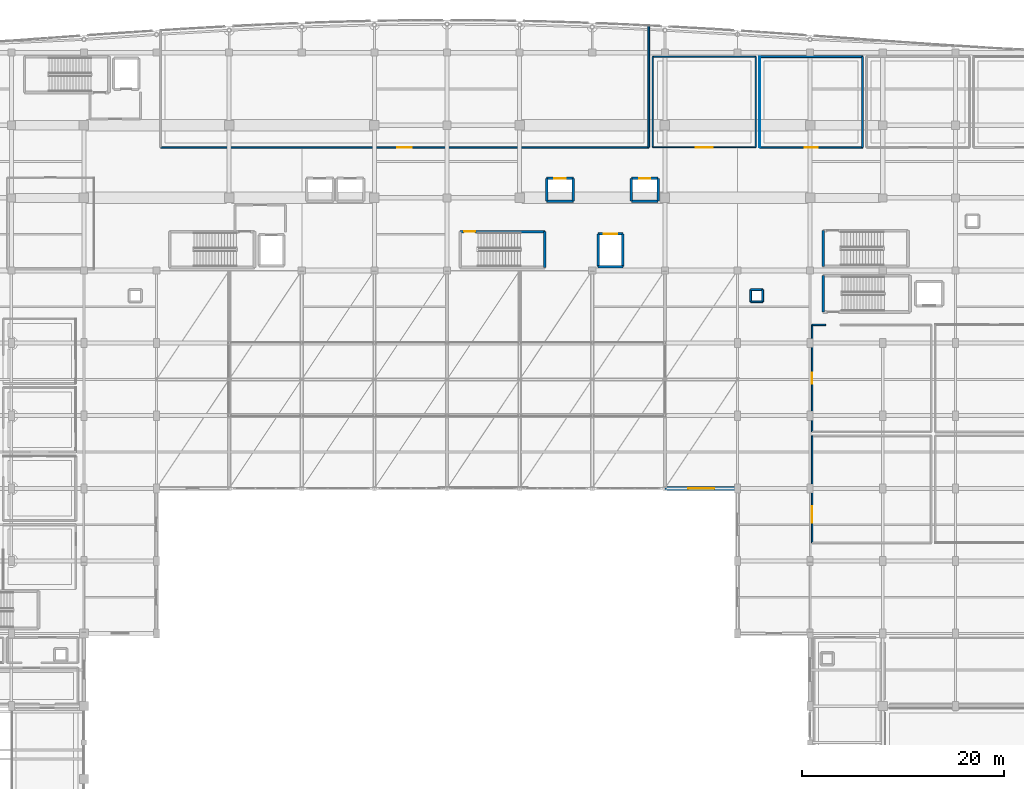
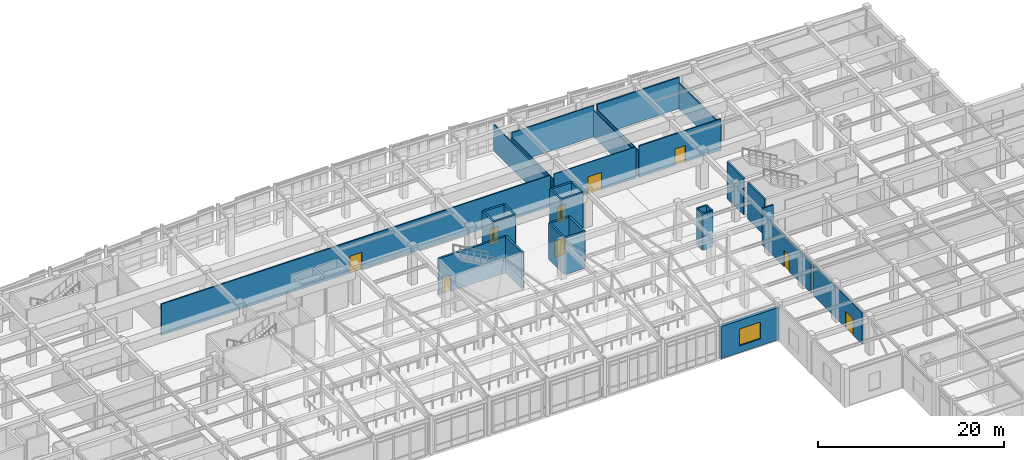
# One storey, part 92 of 117: 34 walls, 9 doors, 1 window, 10 openings.
"""IFC4 building model written with IfcOpenShell, lengths in metres."""

from ifc_helpers import new_model, si_unit, direction, frame, frame_2d, origin, place, context, subcontext, project, spatial, rectangle, extrude, material, layer, layer_set, type_object, element, fill, save


model = new_model("IFC4")

# Units and contexts
model_context = context("Model", 3, precision=1e-05, world=origin(), true_north=direction((0.0, 1.0)))
body_context = subcontext(model_context, "Body", "Model", "MODEL_VIEW")
ifc_project = project(units=[si_unit("LENGTHUNIT", "METRE"), si_unit("AREAUNIT", "SQUARE_METRE"), si_unit("VOLUMEUNIT", "CUBIC_METRE"), si_unit("PLANEANGLEUNIT", "RADIAN"), si_unit("MASSUNIT", "GRAM", prefix="KILO")], contexts=[model_context])

# Site, building, storey
site_placement = place(None, origin())
site = spatial("IfcSite", under=ifc_project, at=site_placement, CompositionType="ELEMENT")
building_placement = place(site_placement, origin())
building = spatial("IfcBuilding", under=site, at=building_placement, Name="Carrowvane Square Congress Hotel", CompositionType="ELEMENT")
storey_placement = place(building_placement, frame((0.0, 0.0, 5.39990234375)))
storey = spatial("IfcBuildingStorey", under=building, at=storey_placement, Name="L01", CompositionType="ELEMENT", Elevation=5.39990234375)

# Wall, opening, window
ifc_material_1 = material(Name="Portland limestone cladding", Category="masonry")
ifc_layer_1 = layer(ifc_material_1, 0.3798828125)
ifc_layer_set_1 = layer_set([ifc_layer_1], Name="Portland limestone cladding")
wall_type_1 = type_object("IfcWallType", Name="WL-EXT-LS380", PredefinedType="STANDARD", material=ifc_layer_set_1)
wall_1_placement = place(storey_placement, frame((126.800048828125, 70.199951171875, 0.0), z_axis=(0.0, 0.0, 1.0), x_axis=(-1.0, 0.0, 0.0)))
wall_1 = element("IfcWall", 1, at=wall_1_placement, inside=storey, type_object=wall_type_1, Name="L01 exterior facade wall 250", PredefinedType="STANDARD", context=body_context, shape_type="SweptSolid", body=[
    extrude(rectangle(XDim=7.199951171875, YDim=0.3798828125, at=frame_2d((3.60009765625, 0.0))), origin(), (0.0, 0.0, 1.0), 4.228515625),
])
opening_1_placement = place(wall_1_placement, frame((2.300048828125, 0.0, 0.89990234375)))
opening_1 = element("IfcOpeningElement", 2, at=opening_1_placement, cuts=wall_1, Name="Opening W-36", PredefinedType="OPENING", context=body_context, shape_type="SweptSolid", body=[
    extrude(rectangle(XDim=2.60009765625, YDim=2.199951171875, at=frame_2d((1.300048828125, 1.10009765625))), frame((0.0, 0.199951171875, 0.0), z_axis=(0.0, -1.0, 0.0), x_axis=(1.0, 0.0, 0.0)), (0.0, 0.0, 1.0), 0.39990234375),
])
ifc_material_2 = material(Name="Double-glazed low-E glass", Category="glass")
window_type = type_object("IfcWindowType", Name="WIN-36", PartitioningType="SINGLE_PANEL", PredefinedType="WINDOW", material=ifc_material_2)
window_placement = place(opening_1_placement, origin())
window = element("IfcWindow", 3, at=window_placement, inside=storey, type_object=window_type, Name="L01 facade window 73", OverallHeight=2.199951171875, OverallWidth=2.60009765625, PartitioningType="SINGLE_PANEL", PredefinedType="WINDOW", context=body_context, shape_type="SweptSolid", body=[
    extrude(rectangle(XDim=2.60009765625, YDim=2.199951171875, at=frame_2d((1.300048828125, 1.10009765625))), frame((0.0, 0.030029296875, 0.0), z_axis=(0.0, -1.0, 0.0), x_axis=(1.0, 0.0, 0.0)), (0.0, 0.0, 1.0), 0.06005859375),
])
fill(opening_1, window)

# Wall, opening, door
ifc_material_3 = material(Name="Acoustic gypsum board", Category="gypsum")
ifc_layer_2 = layer(ifc_material_3, 0.155029296875)
ifc_layer_set_2 = layer_set([ifc_layer_2], Name="Acoustic gypsum board")
wall_type_2 = type_object("IfcWallType", Name="WL-FIR-155", PredefinedType="PARTITIONING", material=ifc_layer_set_2)
wall_2_placement = place(storey_placement, frame((134.199951171875, 75.800048828125, 0.0), z_axis=(0.0, 0.0, 1.0), x_axis=(0.0, 1.0, 0.0)))
wall_2 = element("IfcWall", 4, at=wall_2_placement, inside=storey, type_object=wall_type_2, Name="L01 Executive Boardroom 105 partition", PredefinedType="PARTITIONING", context=body_context, shape_type="SweptSolid", body=[
    extrude(rectangle(XDim=10.599853515625, YDim=0.155029296875, at=frame_2d((5.2998046875, 0.0))), origin(), (0.0, 0.0, 1.0), 4.114990234375),
])
opening_2_placement = place(wall_2_placement, frame((4.760009765625, 0.0, 0.0)))
opening_2 = element("IfcOpeningElement", 5, at=opening_2_placement, cuts=wall_2, Name="Opening ID-08", PredefinedType="OPENING", context=body_context, shape_type="SweptSolid", body=[
    extrude(rectangle(XDim=1.080078125, YDim=2.14990234375, at=frame_2d((0.5400390625, 1.074951171875))), frame((0.0, 0.08740234375, 0.0), z_axis=(0.0, -1.0, 0.0), x_axis=(1.0, 0.0, 0.0)), (0.0, 0.0, 1.0), 0.175048828125),
])
ifc_material_4 = material(Name="European oak timber", Category="wood")
door_type_1 = type_object("IfcDoorType", Name="DR-INT-1080x2150", OperationType="NOTDEFINED", PredefinedType="DOOR", material=ifc_material_4)
door_1_placement = place(opening_2_placement, origin())
door_1 = element("IfcDoor", 6, at=door_1_placement, inside=storey, type_object=door_type_1, Name="L01 Executive Boardroom 105 entrance door", OperationType="SINGLE_SWING_LEFT", OverallHeight=2.14990234375, OverallWidth=1.080078125, PredefinedType="DOOR", context=body_context, shape_type="SweptSolid", body=[
    extrude(rectangle(XDim=1.080078125, YDim=2.14990234375, at=frame_2d((0.5400390625, 1.074951171875))), frame((0.0, 0.02490234375, 0.0), z_axis=(0.0, -1.0, 0.0), x_axis=(1.0, 0.0, 0.0)), (0.0, 0.0, 1.0), 0.050048828125),
])
fill(opening_2, door_1)

wall_3_placement = place(storey_placement, frame((118.0, 104.0, 0.0), z_axis=(0.0, 0.0, 1.0), x_axis=(-1.0, 0.0, 0.0)))
wall_3 = element("IfcWall", 7, at=wall_3_placement, inside=storey, type_object=wall_type_2, Name="L01 Delegate Congress Dining Hall partition", PredefinedType="PARTITIONING", context=body_context, shape_type="SweptSolid", body=[
    extrude(rectangle(XDim=48.39990234375, YDim=0.155029296875, at=frame_2d((24.199951171875, 0.0))), origin(), (0.0, 0.0, 1.0), 4.114990234375),
])
opening_3_placement = place(wall_3_placement, frame((23.47509765625, 0.0, 0.0)))
opening_3 = element("IfcOpeningElement", 8, at=opening_3_placement, cuts=wall_3, Name="Opening FD-11", PredefinedType="OPENING", context=body_context, shape_type="SweptSolid", body=[
    extrude(rectangle(XDim=1.449951171875, YDim=2.199951171875, at=frame_2d((0.72509765625, 1.10009765625))), frame((0.0, 0.08740234375, 0.0), z_axis=(0.0, -1.0, 0.0), x_axis=(1.0, 0.0, 0.0)), (0.0, 0.0, 1.0), 0.175048828125),
])
ifc_material_5 = material(Name="European oak timber", Category="wood")
door_type_2 = type_object("IfcDoorType", Name="DR-FD30-1450x2200", OperationType="DOUBLE_DOOR_SINGLE_SWING", PredefinedType="DOOR", material=ifc_material_5)
door_2_placement = place(opening_3_placement, origin())
door_2 = element("IfcDoor", 9, at=door_2_placement, inside=storey, type_object=door_type_2, Name="L01 Delegate Congress Dining Hall entrance door", OperationType="DOUBLE_DOOR_SINGLE_SWING", OverallHeight=2.199951171875, OverallWidth=1.449951171875, PredefinedType="DOOR", context=body_context, shape_type="SweptSolid", body=[
    extrude(rectangle(XDim=1.449951171875, YDim=2.199951171875, at=frame_2d((0.72509765625, 1.10009765625))), frame((0.0, 0.02490234375, 0.0), z_axis=(0.0, -1.0, 0.0), x_axis=(1.0, 0.0, 0.0)), (0.0, 0.0, 1.0), 0.050048828125),
])
fill(opening_3, door_2)

wall_4_placement = place(storey_placement, frame((139.199951171875, 104.0, 0.0), z_axis=(0.0, 0.0, 1.0), x_axis=(-1.0, 0.0, 0.0)))
wall_4 = element("IfcWall", 10, at=wall_4_placement, inside=storey, type_object=wall_type_2, Name="L01 Private Dining Salon 2 partition", PredefinedType="PARTITIONING", context=body_context, shape_type="SweptSolid", body=[
    extrude(rectangle(XDim=10.199951171875, YDim=0.155029296875, at=frame_2d((5.10009765625, 0.0))), origin(), (0.0, 0.0, 1.0), 4.114990234375),
])
opening_4_placement = place(wall_4_placement, frame((4.449951171875, 0.0, 0.0)))
opening_4 = element("IfcOpeningElement", 11, at=opening_4_placement, cuts=wall_4, Name="Opening FD-03", PredefinedType="OPENING", context=body_context, shape_type="SweptSolid", body=[
    extrude(rectangle(XDim=1.300048828125, YDim=2.14990234375, at=frame_2d((0.64990234375, 1.074951171875))), frame((0.0, 0.08740234375, 0.0), z_axis=(0.0, -1.0, 0.0), x_axis=(1.0, 0.0, 0.0)), (0.0, 0.0, 1.0), 0.175048828125),
])
ifc_material_6 = material(Name="European oak timber", Category="wood")
door_type_3 = type_object("IfcDoorType", Name="DR-FD60-1300x2150", OperationType="NOTDEFINED", PredefinedType="DOOR", material=ifc_material_6)
door_3_placement = place(opening_4_placement, origin())
door_3 = element("IfcDoor", 12, at=door_3_placement, inside=storey, type_object=door_type_3, Name="L01 Private Dining Salon 2 entrance door", OperationType="SINGLE_SWING_RIGHT", OverallHeight=2.14990234375, OverallWidth=1.300048828125, PredefinedType="DOOR", context=body_context, shape_type="SweptSolid", body=[
    extrude(rectangle(XDim=1.300048828125, YDim=2.14990234375, at=frame_2d((0.64990234375, 1.074951171875))), frame((0.0, 0.02490234375, 0.0), z_axis=(0.0, -1.0, 0.0), x_axis=(1.0, 0.0, 0.0)), (0.0, 0.0, 1.0), 0.050048828125),
])
fill(opening_4, door_3)

ifc_material_7 = material(Name="Acoustic gypsum board", Category="gypsum")
ifc_layer_3 = layer(ifc_material_7, 0.169921875)
ifc_layer_set_3 = layer_set([ifc_layer_3], Name="Acoustic gypsum board")
wall_type_3 = type_object("IfcWallType", Name="WL-FIR-170", PredefinedType="PARTITIONING", material=ifc_layer_set_3)
wall_5_placement = place(storey_placement, frame((134.199951171875, 64.800048828125, 0.0), z_axis=(0.0, 0.0, 1.0), x_axis=(0.0, 1.0, 0.0)))
wall_5 = element("IfcWall", 13, at=wall_5_placement, inside=storey, type_object=wall_type_3, Name="L01 Executive Boardroom 101 partition", PredefinedType="PARTITIONING", context=body_context, shape_type="SweptSolid", body=[
    extrude(rectangle(XDim=10.599853515625, YDim=0.169921875, at=frame_2d((5.2998046875, 0.0))), origin(), (0.0, 0.0, 1.0), 4.114990234375),
])
opening_5_placement = place(wall_5_placement, frame((2.0, 0.0, 0.0)))
opening_5 = element("IfcOpeningElement", 14, at=opening_5_placement, cuts=wall_5, Name="Opening FD-04", PredefinedType="OPENING", context=body_context, shape_type="SweptSolid", body=[
    extrude(rectangle(XDim=1.60009765625, YDim=2.14990234375, at=frame_2d((0.800048828125, 1.074951171875))), frame((0.0, 0.094970703125, 0.0), z_axis=(0.0, -1.0, 0.0), x_axis=(1.0, 0.0, 0.0)), (0.0, 0.0, 1.0), 0.18994140625),
])
ifc_material_8 = material(Name="European oak timber", Category="wood")
door_type_4 = type_object("IfcDoorType", Name="DR-FD60-1600x2150", OperationType="DOUBLE_DOOR_SINGLE_SWING", PredefinedType="DOOR", material=ifc_material_8)
door_4_placement = place(opening_5_placement, origin())
door_4 = element("IfcDoor", 15, at=door_4_placement, inside=storey, type_object=door_type_4, Name="L01 Executive Boardroom 101 entrance door", OperationType="DOUBLE_DOOR_SINGLE_SWING", OverallHeight=2.14990234375, OverallWidth=1.60009765625, PredefinedType="DOOR", context=body_context, shape_type="SweptSolid", body=[
    extrude(rectangle(XDim=1.60009765625, YDim=2.14990234375, at=frame_2d((0.800048828125, 1.074951171875))), frame((0.0, 0.02490234375, 0.0), z_axis=(0.0, -1.0, 0.0), x_axis=(1.0, 0.0, 0.0)), (0.0, 0.0, 1.0), 0.050048828125),
])
fill(opening_5, door_4)

# Walls
wall_6_placement = place(storey_placement, frame((118.0, 116.078125, 0.0), z_axis=(0.0, 0.0, 1.0), x_axis=(0.0, -1.0, 0.0)))
element("IfcWall", 16, at=wall_6_placement, inside=storey, type_object=wall_type_3, Name="L01 Delegate Congress Dining Hall partition", PredefinedType="PARTITIONING", context=body_context, shape_type="SweptSolid", body=[
    extrude(rectangle(XDim=12.078125, YDim=0.169921875, at=frame_2d((6.0390625, 0.0))), origin(), (0.0, 0.0, 1.0), 3.445068359375),
])
wall_7_placement = place(storey_placement, frame((139.199951171875, 113.0, 0.0), z_axis=(0.0, 0.0, 1.0), x_axis=(0.0, -1.0, 0.0)))
element("IfcWall", 17, at=wall_7_placement, inside=storey, type_object=wall_type_3, Name="L01 Private Dining Salon 2 partition", PredefinedType="PARTITIONING", context=body_context, shape_type="SweptSolid", body=[
    extrude(rectangle(XDim=9.0, YDim=0.169921875, at=frame_2d((4.5, 0.0))), origin(), (0.0, 0.0, 1.0), 3.364990234375),
])
ifc_material_9 = material(Name="Acoustic gypsum board", Category="gypsum")
ifc_layer_4 = layer(ifc_material_9, 0.18505859375)
ifc_layer_set_4 = layer_set([ifc_layer_4], Name="Acoustic gypsum board")
wall_type_4 = type_object("IfcWallType", Name="WL-FIR-185", PredefinedType="PARTITIONING", material=ifc_layer_set_4)
wall_8_placement = place(storey_placement, frame((129.0, 113.0, 0.0), z_axis=(0.0, 0.0, 1.0), x_axis=(1.0, 0.0, 0.0)))
element("IfcWall", 18, at=wall_8_placement, inside=storey, type_object=wall_type_4, Name="L01 Private Dining Salon 2 partition", PredefinedType="PARTITIONING", context=body_context, shape_type="SweptSolid", body=[
    extrude(rectangle(XDim=10.199951171875, YDim=0.18505859375, at=frame_2d((5.10009765625, 0.0))), origin(), (0.0, 0.0, 1.0), 4.114990234375),
])
ifc_material_10 = material(Name="Standing-seam zinc cladding", Category="metal")
ifc_layer_5 = layer(ifc_material_10, 0.195068359375)
ifc_layer_set_5 = layer_set([ifc_layer_5], Name="Standing-seam zinc cladding")
wall_type_5 = type_object("IfcWallType", Name="WL-PAR-195", PredefinedType="PARAPET", material=ifc_layer_set_5)
for number, where, z_axis, x_axis, name in (
    (19, (128.10009765625, 88.699951171875, 0.0), (0.0, 0.0, 1.0), (1.0, 0.0, 0.0), "L01 service riser RSR-V3 enclosure S"),
    (20, (129.300048828125, 88.699951171875, 0.0), (0.0, 0.0, 1.0), (0.0, 1.0, 0.0), "L01 service riser RSR-V3 enclosure E"),
    (21, (129.300048828125, 89.89990234375, 0.0), (0.0, 0.0, 1.0), (-1.0, 0.0, 0.0), "L01 service riser RSR-V3 enclosure N"),
    (22, (128.10009765625, 89.89990234375, 0.0), (0.0, 0.0, 1.0), (0.0, -1.0, 0.0), "L01 service riser RSR-V3 enclosure W"),
):
    element("IfcWall", number, at=place(storey_placement, frame(where, z_axis=z_axis, x_axis=x_axis)), inside=storey, type_object=wall_type_5, Name=name, PredefinedType="PARAPET", context=body_context, shape_type="SweptSolid", body=[
        extrude(rectangle(XDim=1.199951171875, YDim=0.195068359375, at=frame_2d((0.60009765625, 0.0))), origin(), (0.0, 0.0, 1.0), 4.780029296875),
    ])
ifc_material_11 = material(Name="Acoustic gypsum board", Category="gypsum")
ifc_layer_6 = layer(ifc_material_11, 0.097900390625)
ifc_layer_set_6 = layer_set([ifc_layer_6], Name="Acoustic gypsum board")
wall_type_6 = type_object("IfcWallType", Name="WL-PRT-098", PredefinedType="PARTITIONING", material=ifc_layer_set_6)
wall_9_placement = place(storey_placement, frame((129.0, 104.0, 0.0), z_axis=(0.0, 0.0, 1.0), x_axis=(0.0, 1.0, 0.0)))
element("IfcWall", 23, at=wall_9_placement, inside=storey, type_object=wall_type_6, Name="L01 Private Dining Salon 2 partition", PredefinedType="PARTITIONING", context=body_context, shape_type="SweptSolid", body=[
    extrude(rectangle(XDim=9.0, YDim=0.097900390625, at=frame_2d((4.5, 0.0))), origin(), (0.0, 0.0, 1.0), 3.445068359375),
])

# Wall, opening, door
ifc_material_12 = material(Name="Acoustic gypsum board", Category="gypsum")
ifc_layer_7 = layer(ifc_material_12, 0.10791015625)
ifc_layer_set_7 = layer_set([ifc_layer_7], Name="Acoustic gypsum board")
wall_type_7 = type_object("IfcWallType", Name="WL-PRT-108", PredefinedType="PARTITIONING", material=ifc_layer_set_7)
wall_10_placement = place(storey_placement, frame((128.60009765625, 104.0, 0.0), z_axis=(0.0, 0.0, 1.0), x_axis=(-1.0, 0.0, 0.0)))
wall_10 = element("IfcWall", 24, at=wall_10_placement, inside=storey, type_object=wall_type_7, Name="L01 Private Dining Salon 1 partition", PredefinedType="PARTITIONING", context=body_context, shape_type="SweptSolid", body=[
    extrude(rectangle(XDim=10.2001953125, YDim=0.10791015625, at=frame_2d((5.10009765625, 0.0))), origin(), (0.0, 0.0, 1.0), 4.114990234375),
])
opening_6_placement = place(wall_10_placement, frame((4.25, 0.0, 0.0)))
opening_6 = element("IfcOpeningElement", 25, at=opening_6_placement, cuts=wall_10, Name="Opening FD-12", PredefinedType="OPENING", context=body_context, shape_type="SweptSolid", body=[
    extrude(rectangle(XDim=1.699951171875, YDim=2.25, at=frame_2d((0.85009765625, 1.125))), frame((0.0, 0.06396484375, 0.0), z_axis=(0.0, -1.0, 0.0), x_axis=(1.0, 0.0, 0.0)), (0.0, 0.0, 1.0), 0.1279296875),
])
ifc_material_13 = material(Name="European oak timber", Category="wood")
door_type_5 = type_object("IfcDoorType", Name="DR-FD30-1700x2250", OperationType="DOUBLE_DOOR_SINGLE_SWING", PredefinedType="DOOR", material=ifc_material_13)
door_5_placement = place(opening_6_placement, origin())
door_5 = element("IfcDoor", 26, at=door_5_placement, inside=storey, type_object=door_type_5, Name="L01 Private Dining Salon 1 entrance door", OperationType="DOUBLE_DOOR_SINGLE_SWING", OverallHeight=2.25, OverallWidth=1.699951171875, PredefinedType="DOOR", context=body_context, shape_type="SweptSolid", body=[
    extrude(rectangle(XDim=1.699951171875, YDim=2.25, at=frame_2d((0.85009765625, 1.125))), frame((0.0, 0.02490234375, 0.0), z_axis=(0.0, -1.0, 0.0), x_axis=(1.0, 0.0, 0.0)), (0.0, 0.0, 1.0), 0.050048828125),
])
fill(opening_6, door_5)

# Walls
ifc_material_14 = material(Name="Acoustic gypsum board", Category="gypsum")
ifc_layer_8 = layer(ifc_material_14, 0.117919921875)
ifc_layer_set_8 = layer_set([ifc_layer_8], Name="Acoustic gypsum board")
wall_type_8 = type_object("IfcWallType", Name="WL-PRT-118", PredefinedType="PARTITIONING", material=ifc_layer_set_8)
wall_11_placement = place(storey_placement, frame((128.60009765625, 113.0, 0.0), z_axis=(0.0, 0.0, 1.0), x_axis=(0.0, -1.0, 0.0)))
element("IfcWall", 27, at=wall_11_placement, inside=storey, type_object=wall_type_8, Name="L01 Private Dining Salon 1 partition", PredefinedType="PARTITIONING", context=body_context, shape_type="SweptSolid", body=[
    extrude(rectangle(XDim=9.0, YDim=0.117919921875, at=frame_2d((4.5, 0.0))), origin(), (0.0, 0.0, 1.0), 3.445068359375),
])
ifc_material_15 = material(Name="Acoustic gypsum board", Category="gypsum")
ifc_layer_9 = layer(ifc_material_15, 0.1279296875)
ifc_layer_set_9 = layer_set([ifc_layer_9], Name="Acoustic gypsum board")
wall_type_9 = type_object("IfcWallType", Name="WL-PRT-128", PredefinedType="PARTITIONING", material=ifc_layer_set_9)
wall_12_placement = place(storey_placement, frame((118.39990234375, 113.0, 0.0), z_axis=(0.0, 0.0, 1.0), x_axis=(1.0, 0.0, 0.0)))
element("IfcWall", 28, at=wall_12_placement, inside=storey, type_object=wall_type_9, Name="L01 Private Dining Salon 1 partition", PredefinedType="PARTITIONING", context=body_context, shape_type="SweptSolid", body=[
    extrude(rectangle(XDim=10.2001953125, YDim=0.1279296875, at=frame_2d((5.10009765625, 0.0))), origin(), (0.0, 0.0, 1.0), 4.114990234375),
])
ifc_material_16 = material(Name="Acoustic gypsum board", Category="gypsum")
ifc_layer_10 = layer(ifc_material_16, 0.137939453125)
ifc_layer_set_10 = layer_set([ifc_layer_10], Name="Acoustic gypsum board")
wall_type_10 = type_object("IfcWallType", Name="WL-PRT-138", PredefinedType="PARTITIONING", material=ifc_layer_set_10)
wall_13_placement = place(storey_placement, frame((118.39990234375, 104.0, 0.0), z_axis=(0.0, 0.0, 1.0), x_axis=(0.0, 1.0, 0.0)))
element("IfcWall", 29, at=wall_13_placement, inside=storey, type_object=wall_type_10, Name="L01 Private Dining Salon 1 partition", PredefinedType="PARTITIONING", context=body_context, shape_type="SweptSolid", body=[
    extrude(rectangle(XDim=9.0, YDim=0.137939453125, at=frame_2d((4.5, 0.0))), origin(), (0.0, 0.0, 1.0), 3.445068359375),
])
ifc_material_17 = material(Name="Acoustic gypsum board", Category="gypsum")
ifc_layer_11 = layer(ifc_material_17, 0.14794921875)
ifc_layer_set_11 = layer_set([ifc_layer_11], Name="Acoustic gypsum board")
wall_type_11 = type_object("IfcWallType", Name="WL-PRT-148", PredefinedType="PARTITIONING", material=ifc_layer_set_11)
wall_14_placement = place(storey_placement, frame((134.199951171875, 86.39990234375, 0.0), z_axis=(0.0, 0.0, 1.0), x_axis=(1.0, 0.0, 0.0)))
element("IfcWall", 30, at=wall_14_placement, inside=storey, type_object=wall_type_11, Name="L01 Executive Boardroom 105 partition", PredefinedType="PARTITIONING", context=body_context, shape_type="SweptSolid", body=[
    extrude(rectangle(XDim=1.344970703125, YDim=0.14794921875, at=frame_2d((0.67236328125, 0.0))), origin(), (0.0, 0.0, 1.0), 4.780029296875),
])
ifc_material_18 = material(Name="Concrete C40/50", Category="concrete")
ifc_layer_12 = layer(ifc_material_18, 0.22509765625)
ifc_layer_set_12 = layer_set([ifc_layer_12], Name="Concrete C40/50")
wall_type_12 = type_object("IfcWallType", Name="WL-SHR-225", PredefinedType="SHEAR", material=ifc_layer_set_12)
wall_15_placement = place(storey_placement, frame((135.300048828125, 91.300048828125, 0.0), z_axis=(0.0, 0.0, 1.0), x_axis=(0.0, -1.0, 0.0)))
element("IfcWall", 31, at=wall_15_placement, inside=storey, type_object=wall_type_12, Name="L01 ST8 core wall west", PredefinedType="SHEAR", context=body_context, shape_type="SweptSolid", body=[
    extrude(rectangle(XDim=3.60009765625, YDim=0.22509765625, at=frame_2d((1.800048828125, 0.0))), origin(), (0.0, 0.0, 1.0), 4.780029296875),
])
wall_16_placement = place(storey_placement, frame((135.300048828125, 95.760009765625, 0.0), z_axis=(0.0, 0.0, 1.0), x_axis=(0.0, -1.0, 0.0)))
element("IfcWall", 32, at=wall_16_placement, inside=storey, type_object=wall_type_12, Name="L01 ST12 core wall west", PredefinedType="SHEAR", context=body_context, shape_type="SweptSolid", body=[
    extrude(rectangle(XDim=3.56005859375, YDim=0.22509765625, at=frame_2d((1.780029296875, 0.0))), origin(), (0.0, 0.0, 1.0), 4.780029296875),
])

# Wall, opening, door
ifc_material_19 = material(Name="Concrete C40/50", Category="concrete")
ifc_layer_13 = layer(ifc_material_19, 0.25)
ifc_layer_set_13 = layer_set([ifc_layer_13], Name="Concrete C40/50")
wall_type_13 = type_object("IfcWallType", Name="WL-SHR-250", PredefinedType="SHEAR", material=ifc_layer_set_13)
wall_17_placement = place(storey_placement, frame((107.699951171875, 95.659912109375, 0.0), z_axis=(0.0, 0.0, 1.0), x_axis=(-1.0, 0.0, 0.0)))
wall_17 = element("IfcWall", 33, at=wall_17_placement, inside=storey, type_object=wall_type_13, Name="L01 ST3 core wall north", PredefinedType="SHEAR", context=body_context, shape_type="SweptSolid", body=[
    extrude(rectangle(XDim=8.39990234375, YDim=0.25, at=frame_2d((4.199951171875, 0.0))), origin(), (0.0, 0.0, 1.0), 4.780029296875),
])
opening_7_placement = place(wall_17_placement, frame((6.909912109375, 0.0, 0.0)))
opening_7 = element("IfcOpeningElement", 34, at=opening_7_placement, cuts=wall_17, Name="Opening FD-01", PredefinedType="OPENING", context=body_context, shape_type="SweptSolid", body=[
    extrude(rectangle(XDim=1.10009765625, YDim=2.10009765625, at=frame_2d((0.550048828125, 1.050048828125))), frame((0.0, 0.135009765625, 0.0), z_axis=(0.0, -1.0, 0.0), x_axis=(1.0, 0.0, 0.0)), (0.0, 0.0, 1.0), 0.27001953125),
])
ifc_material_20 = material(Name="European oak timber", Category="wood")
door_type_6 = type_object("IfcDoorType", Name="DR-FD60-1100x2100", OperationType="NOTDEFINED", PredefinedType="DOOR", material=ifc_material_20)
door_6_placement = place(opening_7_placement, origin())
door_6 = element("IfcDoor", 35, at=door_6_placement, inside=storey, type_object=door_type_6, Name="L01 ST3 fire door", OperationType="SINGLE_SWING_LEFT", OverallHeight=2.10009765625, OverallWidth=1.10009765625, PredefinedType="DOOR", context=body_context, shape_type="SweptSolid", body=[
    extrude(rectangle(XDim=1.10009765625, YDim=2.10009765625, at=frame_2d((0.550048828125, 1.050048828125))), frame((0.0, 0.02490234375, 0.0), z_axis=(0.0, -1.0, 0.0), x_axis=(1.0, 0.0, 0.0)), (0.0, 0.0, 1.0), 0.050048828125),
])
fill(opening_7, door_6)

# Walls
wall_18_placement = place(storey_placement, frame((107.875, 98.675048828125, 0.0), z_axis=(0.0, 0.0, 1.0), x_axis=(1.0, 0.0, 0.0)))
element("IfcWall", 36, at=wall_18_placement, inside=storey, type_object=wall_type_13, Name="L01 HL-3 shaft wall south", PredefinedType="SHEAR", context=body_context, shape_type="SweptSolid", body=[
    extrude(rectangle(XDim=2.64990234375, YDim=0.25, at=frame_2d((1.324951171875, 0.0))), origin(), (0.0, 0.0, 1.0), 4.780029296875),
])
wall_19_placement = place(storey_placement, frame((110.52490234375, 98.675048828125, 0.0), z_axis=(0.0, 0.0, 1.0), x_axis=(0.0, 1.0, 0.0)))
element("IfcWall", 37, at=wall_19_placement, inside=storey, type_object=wall_type_13, Name="L01 HL-3 shaft wall east", PredefinedType="SHEAR", context=body_context, shape_type="SweptSolid", body=[
    extrude(rectangle(XDim=2.25, YDim=0.25, at=frame_2d((1.125, 0.0))), origin(), (0.0, 0.0, 1.0), 4.780029296875),
])

# Wall, opening, door
wall_20_placement = place(storey_placement, frame((110.52490234375, 100.925048828125, 0.0), z_axis=(0.0, 0.0, 1.0), x_axis=(-1.0, 0.0, 0.0)))
wall_20 = element("IfcWall", 38, at=wall_20_placement, inside=storey, type_object=wall_type_13, Name="L01 HL-3 shaft wall north", PredefinedType="SHEAR", context=body_context, shape_type="SweptSolid", body=[
    extrude(rectangle(XDim=2.64990234375, YDim=0.25, at=frame_2d((1.324951171875, 0.0))), origin(), (0.0, 0.0, 1.0), 4.780029296875),
])
opening_8_placement = place(wall_20_placement, frame((0.77490234375, 0.0, 0.0)))
opening_8 = element("IfcOpeningElement", 39, at=opening_8_placement, cuts=wall_20, Name="Opening LD-HL-3", PredefinedType="OPENING", context=body_context, shape_type="SweptSolid", body=[
    extrude(rectangle(XDim=1.10009765625, YDim=2.14990234375, at=frame_2d((0.550048828125, 1.074951171875))), frame((0.0, 0.135009765625, 0.0), z_axis=(0.0, -1.0, 0.0), x_axis=(1.0, 0.0, 0.0)), (0.0, 0.0, 1.0), 0.27001953125),
])
ifc_material_21 = material(Name="Stainless steel 316", Category="steel")
door_type_7 = type_object("IfcDoorType", Name="DR-LD-1100x2150", OperationType="DOUBLE_DOOR_SLIDING", PredefinedType="DOOR", material=ifc_material_21)
door_7_placement = place(opening_8_placement, origin())
door_7 = element("IfcDoor", 40, at=door_7_placement, inside=storey, type_object=door_type_7, Name="L01 HL-3 sliding lift landing door", OperationType="DOUBLE_DOOR_SLIDING", OverallHeight=2.14990234375, OverallWidth=1.10009765625, PredefinedType="DOOR", context=body_context, shape_type="SweptSolid", body=[
    extrude(rectangle(XDim=1.10009765625, YDim=2.14990234375, at=frame_2d((0.550048828125, 1.074951171875))), frame((0.0, 0.02490234375, 0.0), z_axis=(0.0, -1.0, 0.0), x_axis=(1.0, 0.0, 0.0)), (0.0, 0.0, 1.0), 0.050048828125),
])
fill(opening_8, door_7)

# Walls
wall_21_placement = place(storey_placement, frame((107.875, 100.925048828125, 0.0), z_axis=(0.0, 0.0, 1.0), x_axis=(0.0, -1.0, 0.0)))
element("IfcWall", 41, at=wall_21_placement, inside=storey, type_object=wall_type_13, Name="L01 HL-3 shaft wall west", PredefinedType="SHEAR", context=body_context, shape_type="SweptSolid", body=[
    extrude(rectangle(XDim=2.25, YDim=0.25, at=frame_2d((1.125, 0.0))), origin(), (0.0, 0.0, 1.0), 4.780029296875),
])
wall_22_placement = place(storey_placement, frame((116.27490234375, 98.675048828125, 0.0), z_axis=(0.0, 0.0, 1.0), x_axis=(1.0, 0.0, 0.0)))
element("IfcWall", 42, at=wall_22_placement, inside=storey, type_object=wall_type_13, Name="L01 HL-4 shaft wall south", PredefinedType="SHEAR", context=body_context, shape_type="SweptSolid", body=[
    extrude(rectangle(XDim=2.650146484375, YDim=0.25, at=frame_2d((1.3251953125, 0.0))), origin(), (0.0, 0.0, 1.0), 4.780029296875),
])
wall_23_placement = place(storey_placement, frame((118.925048828125, 98.675048828125, 0.0), z_axis=(0.0, 0.0, 1.0), x_axis=(0.0, 1.0, 0.0)))
element("IfcWall", 43, at=wall_23_placement, inside=storey, type_object=wall_type_13, Name="L01 HL-4 shaft wall east", PredefinedType="SHEAR", context=body_context, shape_type="SweptSolid", body=[
    extrude(rectangle(XDim=2.25, YDim=0.25, at=frame_2d((1.125, 0.0))), origin(), (0.0, 0.0, 1.0), 4.780029296875),
])

# Wall, opening, door
wall_24_placement = place(storey_placement, frame((118.925048828125, 100.925048828125, 0.0), z_axis=(0.0, 0.0, 1.0), x_axis=(-1.0, 0.0, 0.0)))
wall_24 = element("IfcWall", 44, at=wall_24_placement, inside=storey, type_object=wall_type_13, Name="L01 HL-4 shaft wall north", PredefinedType="SHEAR", context=body_context, shape_type="SweptSolid", body=[
    extrude(rectangle(XDim=2.650146484375, YDim=0.25, at=frame_2d((1.3251953125, 0.0))), origin(), (0.0, 0.0, 1.0), 4.780029296875),
])
opening_9_placement = place(wall_24_placement, frame((0.77490234375, 0.0, 0.0)))
opening_9 = element("IfcOpeningElement", 45, at=opening_9_placement, cuts=wall_24, Name="Opening LD-HL-4", PredefinedType="OPENING", context=body_context, shape_type="SweptSolid", body=[
    extrude(rectangle(XDim=1.10009765625, YDim=2.14990234375, at=frame_2d((0.550048828125, 1.074951171875))), frame((0.0, 0.135009765625, 0.0), z_axis=(0.0, -1.0, 0.0), x_axis=(1.0, 0.0, 0.0)), (0.0, 0.0, 1.0), 0.27001953125),
])
door_8_placement = place(opening_9_placement, origin())
door_8 = element("IfcDoor", 46, at=door_8_placement, inside=storey, type_object=door_type_7, Name="L01 HL-4 sliding lift landing door", OperationType="DOUBLE_DOOR_SLIDING", OverallHeight=2.14990234375, OverallWidth=1.10009765625, PredefinedType="DOOR", context=body_context, shape_type="SweptSolid", body=[
    extrude(rectangle(XDim=1.10009765625, YDim=2.14990234375, at=frame_2d((0.550048828125, 1.074951171875))), frame((0.0, 0.02490234375, 0.0), z_axis=(0.0, -1.0, 0.0), x_axis=(1.0, 0.0, 0.0)), (0.0, 0.0, 1.0), 0.050048828125),
])
fill(opening_9, door_8)

# Walls
wall_25_placement = place(storey_placement, frame((116.27490234375, 100.925048828125, 0.0), z_axis=(0.0, 0.0, 1.0), x_axis=(0.0, -1.0, 0.0)))
element("IfcWall", 47, at=wall_25_placement, inside=storey, type_object=wall_type_13, Name="L01 HL-4 shaft wall west", PredefinedType="SHEAR", context=body_context, shape_type="SweptSolid", body=[
    extrude(rectangle(XDim=2.25, YDim=0.25, at=frame_2d((1.125, 0.0))), origin(), (0.0, 0.0, 1.0), 4.780029296875),
])
wall_26_placement = place(storey_placement, frame((112.97509765625, 92.175048828125, 0.0), z_axis=(0.0, 0.0, 1.0), x_axis=(1.0, 0.0, 0.0)))
element("IfcWall", 48, at=wall_26_placement, inside=storey, type_object=wall_type_13, Name="L01 SL-2 shaft wall south", PredefinedType="SHEAR", context=body_context, shape_type="SweptSolid", body=[
    extrude(rectangle(XDim=2.449951171875, YDim=0.25, at=frame_2d((1.22509765625, 0.0))), origin(), (0.0, 0.0, 1.0), 4.780029296875),
])
wall_27_placement = place(storey_placement, frame((115.425048828125, 92.175048828125, 0.0), z_axis=(0.0, 0.0, 1.0), x_axis=(0.0, 1.0, 0.0)))
element("IfcWall", 49, at=wall_27_placement, inside=storey, type_object=wall_type_13, Name="L01 SL-2 shaft wall east", PredefinedType="SHEAR", context=body_context, shape_type="SweptSolid", body=[
    extrude(rectangle(XDim=3.25, YDim=0.25, at=frame_2d((1.625, 0.0))), origin(), (0.0, 0.0, 1.0), 4.780029296875),
])

# Wall, opening, door
wall_28_placement = place(storey_placement, frame((115.425048828125, 95.425048828125, 0.0), z_axis=(0.0, 0.0, 1.0), x_axis=(-1.0, 0.0, 0.0)))
wall_28 = element("IfcWall", 50, at=wall_28_placement, inside=storey, type_object=wall_type_13, Name="L01 SL-2 shaft wall north", PredefinedType="SHEAR", context=body_context, shape_type="SweptSolid", body=[
    extrude(rectangle(XDim=2.449951171875, YDim=0.25, at=frame_2d((1.22509765625, 0.0))), origin(), (0.0, 0.0, 1.0), 4.780029296875),
])
opening_10_placement = place(wall_28_placement, frame((0.550048828125, 0.0, 0.0)))
opening_10 = element("IfcOpeningElement", 51, at=opening_10_placement, cuts=wall_28, Name="Opening LD-SL-2", PredefinedType="OPENING", context=body_context, shape_type="SweptSolid", body=[
    extrude(rectangle(XDim=1.35009765625, YDim=2.199951171875, at=frame_2d((0.675048828125, 1.10009765625))), frame((0.0, 0.135009765625, 0.0), z_axis=(0.0, -1.0, 0.0), x_axis=(1.0, 0.0, 0.0)), (0.0, 0.0, 1.0), 0.27001953125),
])
ifc_material_22 = material(Name="Stainless steel 316", Category="steel")
door_type_8 = type_object("IfcDoorType", Name="DR-LD-1350x2200", OperationType="DOUBLE_DOOR_SLIDING", PredefinedType="DOOR", material=ifc_material_22)
door_9_placement = place(opening_10_placement, origin())
door_9 = element("IfcDoor", 52, at=door_9_placement, inside=storey, type_object=door_type_8, Name="L01 SL-2 sliding lift landing door", OperationType="DOUBLE_DOOR_SLIDING", OverallHeight=2.199951171875, OverallWidth=1.35009765625, PredefinedType="DOOR", context=body_context, shape_type="SweptSolid", body=[
    extrude(rectangle(XDim=1.35009765625, YDim=2.199951171875, at=frame_2d((0.675048828125, 1.10009765625))), frame((0.0, 0.02490234375, 0.0), z_axis=(0.0, -1.0, 0.0), x_axis=(1.0, 0.0, 0.0)), (0.0, 0.0, 1.0), 0.050048828125),
])
fill(opening_10, door_9)

# Walls
wall_29_placement = place(storey_placement, frame((112.97509765625, 95.425048828125, 0.0), z_axis=(0.0, 0.0, 1.0), x_axis=(0.0, -1.0, 0.0)))
element("IfcWall", 53, at=wall_29_placement, inside=storey, type_object=wall_type_13, Name="L01 SL-2 shaft wall west", PredefinedType="SHEAR", context=body_context, shape_type="SweptSolid", body=[
    extrude(rectangle(XDim=3.25, YDim=0.25, at=frame_2d((1.625, 0.0))), origin(), (0.0, 0.0, 1.0), 4.780029296875),
])
ifc_material_23 = material(Name="Concrete C40/50", Category="concrete")
ifc_layer_14 = layer(ifc_material_23, 0.27490234375)
ifc_layer_set_14 = layer_set([ifc_layer_14], Name="Concrete C40/50")
wall_type_14 = type_object("IfcWallType", Name="WL-SHR-275", PredefinedType="SHEAR", material=ifc_layer_set_14)
wall_30_placement = place(storey_placement, frame((107.699951171875, 92.10009765625, 0.0), z_axis=(0.0, 0.0, 1.0), x_axis=(0.0, 1.0, 0.0)))
element("IfcWall", 54, at=wall_30_placement, inside=storey, type_object=wall_type_14, Name="L01 ST3 core wall east", PredefinedType="SHEAR", context=body_context, shape_type="SweptSolid", body=[
    extrude(rectangle(XDim=3.559814453125, YDim=0.27490234375, at=frame_2d((1.77978515625, 0.0))), origin(), (0.0, 0.0, 1.0), 4.780029296875),
])

save(model, "model.ifc")
